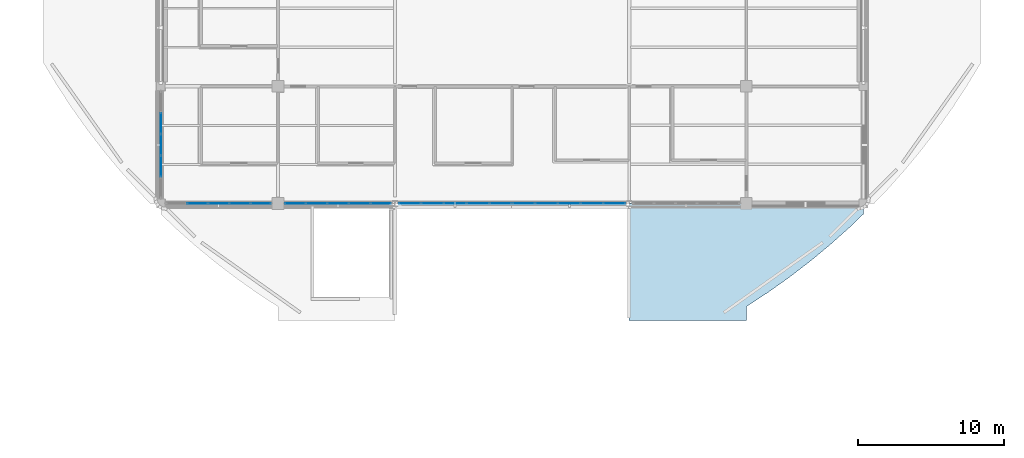
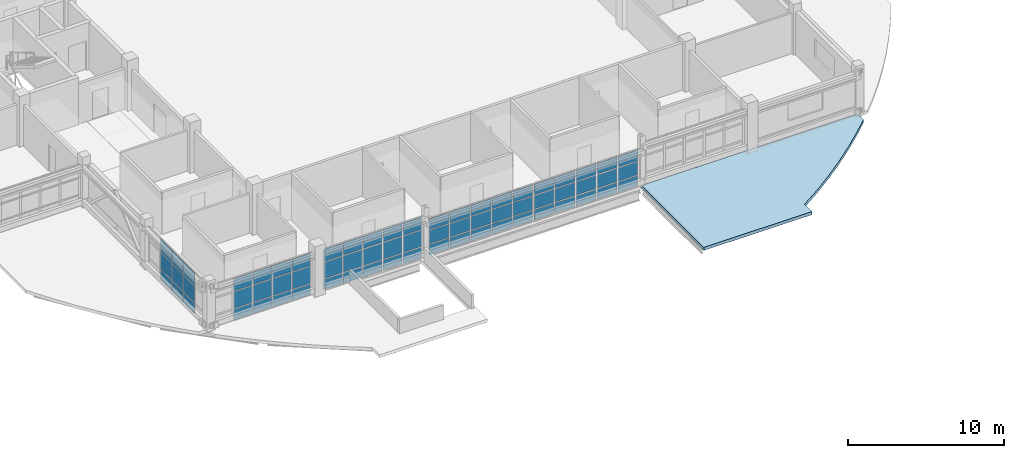
# One storey, part 70 of 126: 66 plates, 1 slab, 5 elements without a shape of their own.
"""IFC4 building model written with IfcOpenShell, lengths in metres."""

from ifc_helpers import new_model, si_unit, derived_unit, direction, frame, origin, origin_2d, place, context, subcontext, project, spatial, polyline, rectangle, outline, extrude, material, layer, layer_set, type_object, element, aggregate, save


model = new_model("IFC4")

# Units and contexts
model_context = context("Model", 3, precision=1e-05, world=origin(), true_north=direction((0.0, 1.0)))
body_context = subcontext(model_context, "Body", "Model", "MODEL_VIEW")
ifc_project = project(units=[si_unit("LENGTHUNIT", "METRE"), si_unit("AREAUNIT", "SQUARE_METRE"), si_unit("VOLUMEUNIT", "CUBIC_METRE"), si_unit("PLANEANGLEUNIT", "RADIAN"), si_unit("MASSUNIT", "GRAM", prefix="KILO"), derived_unit("THERMALTRANSMITTANCEUNIT", [(si_unit("MASSUNIT", "GRAM", prefix="KILO"), 1), (si_unit("TIMEUNIT", "SECOND"), -3), (si_unit("THERMODYNAMICTEMPERATUREUNIT", "KELVIN"), -1)])], contexts=[model_context])

# Site, building, storey
site_placement = place(None, origin())
site = spatial("IfcSite", under=ifc_project, at=site_placement, CompositionType="ELEMENT")
building_placement = place(site_placement, origin())
building = spatial("IfcBuilding", under=site, at=building_placement, Name="Veyamyaing Civic Hall", CompositionType="ELEMENT")
storey_placement = place(building_placement, frame((0.0, 0.0, 9.89990234375)))
storey = spatial("IfcBuildingStorey", under=building, at=storey_placement, Name="L02", CompositionType="ELEMENT", Elevation=9.89990234375)

# Curtain wall, plates
ifc_material_1 = material(Name="Anodised aluminium 6063-T6", Category="aluminium")
ifc_layer_1 = layer(ifc_material_1, 0.159912109375, Name="Anodised aluminium 6063-T6")
ifc_layer_set_1 = layer_set([ifc_layer_1], Name="Anodised aluminium 6063-T6")
curtain_wall_type = type_object("IfcCurtainWallType", Name="CW-03", PredefinedType="NOTDEFINED", material=ifc_layer_set_1)
curtain_wall_1_placement = place(storey_placement, origin())
curtain_wall_1 = element("IfcCurtainWall", 1, at=curtain_wall_1_placement, inside=storey, type_object=curtain_wall_type, Name="Unitized curtain wall CW-03 L02 S 9.4", PredefinedType="NOTDEFINED")
ifc_material_2 = material(Name="Low-E insulated glass", Category="glass")
ifc_layer_2 = layer(ifc_material_2, 0.035888671875, Name="Low-E insulated glass")
ifc_layer_set_2 = layer_set([ifc_layer_2], Name="Low-E insulated glass")
plate_type_1 = type_object("IfcPlateType", Name="CWP-03", PredefinedType="CURTAIN_PANEL", material=ifc_layer_set_2)
plate_1_placement = place(storey_placement, frame((66.501953125, 24.0, 0.06494140625), z_axis=(0.0, 0.0, 1.0), x_axis=(1.0, 0.0, 0.0)))
plate_1 = element("IfcPlate", 2, at=plate_1_placement, type_object=plate_type_1, Name="CW-03 panel 2.1", PredefinedType="CURTAIN_PANEL", context=body_context, shape_type="SweptSolid", body=[
    extrude(rectangle(XDim=1.383056640625, YDim=0.035888671875, at=origin_2d()), origin(), (0.0, 0.0, 1.0), 0.802490234375),
])
plate_2_placement = place(storey_placement, frame((66.501953125, 24.0, 0.9326171875), z_axis=(0.0, 0.0, 1.0), x_axis=(1.0, 0.0, 0.0)))
plate_2 = element("IfcPlate", 3, at=plate_2_placement, type_object=plate_type_1, Name="CW-03 panel 2.2", PredefinedType="CURTAIN_PANEL", context=body_context, shape_type="SweptSolid", body=[
    extrude(rectangle(XDim=1.383056640625, YDim=0.035888671875, at=origin_2d()), origin(), (0.0, 0.0, 1.0), 1.308837890625),
])
plate_3_placement = place(storey_placement, frame((66.501953125, 24.0, 2.306396484375), z_axis=(0.0, 0.0, 1.0), x_axis=(1.0, 0.0, 0.0)))
plate_3 = element("IfcPlate", 4, at=plate_3_placement, type_object=plate_type_1, Name="CW-03 panel 2.3", PredefinedType="CURTAIN_PANEL", context=body_context, shape_type="SweptSolid", body=[
    extrude(rectangle(XDim=1.383056640625, YDim=0.035888671875, at=origin_2d()), origin(), (0.0, 0.0, 1.0), 0.97265625),
])
plate_4_placement = place(storey_placement, frame((67.949951171875, 24.0, 0.06494140625), z_axis=(0.0, 0.0, 1.0), x_axis=(1.0, 0.0, 0.0)))
plate_4 = element("IfcPlate", 5, at=plate_4_placement, type_object=plate_type_1, Name="CW-03 panel 3.1", PredefinedType="CURTAIN_PANEL", context=body_context, shape_type="SweptSolid", body=[
    extrude(rectangle(XDim=1.383056640625, YDim=0.035888671875, at=origin_2d()), origin(), (0.0, 0.0, 1.0), 0.802490234375),
])
plate_5_placement = place(storey_placement, frame((67.949951171875, 24.0, 0.9326171875), z_axis=(0.0, 0.0, 1.0), x_axis=(1.0, 0.0, 0.0)))
plate_5 = element("IfcPlate", 6, at=plate_5_placement, type_object=plate_type_1, Name="CW-03 panel 3.2", PredefinedType="CURTAIN_PANEL", context=body_context, shape_type="SweptSolid", body=[
    extrude(rectangle(XDim=1.383056640625, YDim=0.035888671875, at=origin_2d()), origin(), (0.0, 0.0, 1.0), 1.308837890625),
])
plate_6_placement = place(storey_placement, frame((67.949951171875, 24.0, 2.306396484375), z_axis=(0.0, 0.0, 1.0), x_axis=(1.0, 0.0, 0.0)))
plate_6 = element("IfcPlate", 7, at=plate_6_placement, type_object=plate_type_1, Name="CW-03 panel 3.3", PredefinedType="CURTAIN_PANEL", context=body_context, shape_type="SweptSolid", body=[
    extrude(rectangle(XDim=1.383056640625, YDim=0.035888671875, at=origin_2d()), origin(), (0.0, 0.0, 1.0), 0.97265625),
])
plate_7_placement = place(storey_placement, frame((69.39794921875, 24.0, 0.06494140625), z_axis=(0.0, 0.0, 1.0), x_axis=(1.0, 0.0, 0.0)))
plate_7 = element("IfcPlate", 8, at=plate_7_placement, type_object=plate_type_1, Name="CW-03 panel 4.1", PredefinedType="CURTAIN_PANEL", context=body_context, shape_type="SweptSolid", body=[
    extrude(rectangle(XDim=1.383056640625, YDim=0.035888671875, at=origin_2d()), origin(), (0.0, 0.0, 1.0), 0.802490234375),
])
plate_8_placement = place(storey_placement, frame((69.39794921875, 24.0, 0.9326171875), z_axis=(0.0, 0.0, 1.0), x_axis=(1.0, 0.0, 0.0)))
plate_8 = element("IfcPlate", 9, at=plate_8_placement, type_object=plate_type_1, Name="CW-03 panel 4.2", PredefinedType="CURTAIN_PANEL", context=body_context, shape_type="SweptSolid", body=[
    extrude(rectangle(XDim=1.383056640625, YDim=0.035888671875, at=origin_2d()), origin(), (0.0, 0.0, 1.0), 1.308837890625),
])
plate_9_placement = place(storey_placement, frame((69.39794921875, 24.0, 2.306396484375), z_axis=(0.0, 0.0, 1.0), x_axis=(1.0, 0.0, 0.0)))
plate_9 = element("IfcPlate", 10, at=plate_9_placement, type_object=plate_type_1, Name="CW-03 panel 4.3", PredefinedType="CURTAIN_PANEL", context=body_context, shape_type="SweptSolid", body=[
    extrude(rectangle(XDim=1.383056640625, YDim=0.035888671875, at=origin_2d()), origin(), (0.0, 0.0, 1.0), 0.97265625),
])
plate_10_placement = place(storey_placement, frame((70.829833984375, 24.0, 0.06494140625), z_axis=(0.0, 0.0, 1.0), x_axis=(1.0, 0.0, 0.0)))
plate_10 = element("IfcPlate", 11, at=plate_10_placement, type_object=plate_type_1, Name="CW-03 panel 5.1", PredefinedType="CURTAIN_PANEL", context=body_context, shape_type="SweptSolid", body=[
    extrude(rectangle(XDim=1.3505859375, YDim=0.035888671875, at=origin_2d()), origin(), (0.0, 0.0, 1.0), 0.802490234375),
])
plate_11_placement = place(storey_placement, frame((70.829833984375, 24.0, 0.9326171875), z_axis=(0.0, 0.0, 1.0), x_axis=(1.0, 0.0, 0.0)))
plate_11 = element("IfcPlate", 12, at=plate_11_placement, type_object=plate_type_1, Name="CW-03 panel 5.2", PredefinedType="CURTAIN_PANEL", context=body_context, shape_type="SweptSolid", body=[
    extrude(rectangle(XDim=1.3505859375, YDim=0.035888671875, at=origin_2d()), origin(), (0.0, 0.0, 1.0), 1.308837890625),
])
plate_12_placement = place(storey_placement, frame((70.829833984375, 24.0, 2.306396484375), z_axis=(0.0, 0.0, 1.0), x_axis=(1.0, 0.0, 0.0)))
plate_12 = element("IfcPlate", 13, at=plate_12_placement, type_object=plate_type_1, Name="CW-03 panel 5.3", PredefinedType="CURTAIN_PANEL", context=body_context, shape_type="SweptSolid", body=[
    extrude(rectangle(XDim=1.3505859375, YDim=0.035888671875, at=origin_2d()), origin(), (0.0, 0.0, 1.0), 0.97265625),
])
aggregate(curtain_wall_1, [plate_1, plate_2, plate_3, plate_4, plate_5, plate_6, plate_7, plate_8, plate_9, plate_10, plate_11, plate_12])

curtain_wall_2_placement = place(storey_placement, origin())
curtain_wall_2 = element("IfcCurtainWall", 14, at=curtain_wall_2_placement, inside=storey, type_object=curtain_wall_type, Name="Unitized curtain wall CW-03 L02 W 9.4", PredefinedType="NOTDEFINED")
plate_13_placement = place(storey_placement, frame((64.0, 26.531982421875, 0.06494140625), z_axis=(0.0, 0.0, 1.0), x_axis=(0.0, 1.0, 0.0)))
plate_13 = element("IfcPlate", 15, at=plate_13_placement, type_object=plate_type_1, Name="CW-03 panel 2.1", PredefinedType="CURTAIN_PANEL", context=body_context, shape_type="SweptSolid", body=[
    extrude(rectangle(XDim=1.403076171875, YDim=0.035888671875, at=origin_2d()), origin(), (0.0, 0.0, 1.0), 0.802490234375),
])
plate_14_placement = place(storey_placement, frame((64.0, 26.531982421875, 0.9326171875), z_axis=(0.0, 0.0, 1.0), x_axis=(0.0, 1.0, 0.0)))
plate_14 = element("IfcPlate", 16, at=plate_14_placement, type_object=plate_type_1, Name="CW-03 panel 2.2", PredefinedType="CURTAIN_PANEL", context=body_context, shape_type="SweptSolid", body=[
    extrude(rectangle(XDim=1.403076171875, YDim=0.035888671875, at=origin_2d()), origin(), (0.0, 0.0, 1.0), 1.308837890625),
])
plate_15_placement = place(storey_placement, frame((64.0, 26.531982421875, 2.306396484375), z_axis=(0.0, 0.0, 1.0), x_axis=(0.0, 1.0, 0.0)))
plate_15 = element("IfcPlate", 17, at=plate_15_placement, type_object=plate_type_1, Name="CW-03 panel 2.3", PredefinedType="CURTAIN_PANEL", context=body_context, shape_type="SweptSolid", body=[
    extrude(rectangle(XDim=1.403076171875, YDim=0.035888671875, at=origin_2d()), origin(), (0.0, 0.0, 1.0), 0.97265625),
])
plate_16_placement = place(storey_placement, frame((64.0, 28.0, 0.06494140625), z_axis=(0.0, 0.0, 1.0), x_axis=(0.0, 1.0, 0.0)))
plate_16 = element("IfcPlate", 18, at=plate_16_placement, type_object=plate_type_1, Name="CW-03 panel 3.1", PredefinedType="CURTAIN_PANEL", context=body_context, shape_type="SweptSolid", body=[
    extrude(rectangle(XDim=1.403076171875, YDim=0.035888671875, at=origin_2d()), origin(), (0.0, 0.0, 1.0), 0.802490234375),
])
plate_17_placement = place(storey_placement, frame((64.0, 28.0, 0.9326171875), z_axis=(0.0, 0.0, 1.0), x_axis=(0.0, 1.0, 0.0)))
plate_17 = element("IfcPlate", 19, at=plate_17_placement, type_object=plate_type_1, Name="CW-03 panel 3.2", PredefinedType="CURTAIN_PANEL", context=body_context, shape_type="SweptSolid", body=[
    extrude(rectangle(XDim=1.403076171875, YDim=0.035888671875, at=origin_2d()), origin(), (0.0, 0.0, 1.0), 1.308837890625),
])
plate_18_placement = place(storey_placement, frame((64.0, 28.0, 2.306396484375), z_axis=(0.0, 0.0, 1.0), x_axis=(0.0, 1.0, 0.0)))
plate_18 = element("IfcPlate", 20, at=plate_18_placement, type_object=plate_type_1, Name="CW-03 panel 3.3", PredefinedType="CURTAIN_PANEL", context=body_context, shape_type="SweptSolid", body=[
    extrude(rectangle(XDim=1.403076171875, YDim=0.035888671875, at=origin_2d()), origin(), (0.0, 0.0, 1.0), 0.97265625),
])
plate_19_placement = place(storey_placement, frame((64.0, 29.468017578125, 0.06494140625), z_axis=(0.0, 0.0, 1.0), x_axis=(0.0, 1.0, 0.0)))
plate_19 = element("IfcPlate", 21, at=plate_19_placement, type_object=plate_type_1, Name="CW-03 panel 4.1", PredefinedType="CURTAIN_PANEL", context=body_context, shape_type="SweptSolid", body=[
    extrude(rectangle(XDim=1.403076171875, YDim=0.035888671875, at=origin_2d()), origin(), (0.0, 0.0, 1.0), 0.802490234375),
])
plate_20_placement = place(storey_placement, frame((64.0, 29.468017578125, 0.9326171875), z_axis=(0.0, 0.0, 1.0), x_axis=(0.0, 1.0, 0.0)))
plate_20 = element("IfcPlate", 22, at=plate_20_placement, type_object=plate_type_1, Name="CW-03 panel 4.2", PredefinedType="CURTAIN_PANEL", context=body_context, shape_type="SweptSolid", body=[
    extrude(rectangle(XDim=1.403076171875, YDim=0.035888671875, at=origin_2d()), origin(), (0.0, 0.0, 1.0), 1.308837890625),
])
plate_21_placement = place(storey_placement, frame((64.0, 29.468017578125, 2.306396484375), z_axis=(0.0, 0.0, 1.0), x_axis=(0.0, 1.0, 0.0)))
plate_21 = element("IfcPlate", 23, at=plate_21_placement, type_object=plate_type_1, Name="CW-03 panel 4.3", PredefinedType="CURTAIN_PANEL", context=body_context, shape_type="SweptSolid", body=[
    extrude(rectangle(XDim=1.403076171875, YDim=0.035888671875, at=origin_2d()), origin(), (0.0, 0.0, 1.0), 0.97265625),
])
aggregate(curtain_wall_2, [plate_13, plate_14, plate_15, plate_16, plate_17, plate_18, plate_19, plate_20, plate_21])

curtain_wall_3_placement = place(storey_placement, origin())
curtain_wall_3 = element("IfcCurtainWall", 24, at=curtain_wall_3_placement, inside=storey, type_object=curtain_wall_type, Name="Unitized curtain wall CW-03 L02 S 10.4", PredefinedType="NOTDEFINED")
ifc_layer_3 = layer(ifc_material_2, 0.02392578125, Name="Low-E insulated glass")
ifc_layer_set_3 = layer_set([ifc_layer_3], Name="Low-E insulated glass")
plate_type_2 = type_object("IfcPlateType", Name="CWP-04", PredefinedType="CURTAIN_PANEL", material=ifc_layer_set_3)
plate_22_placement = place(storey_placement, frame((73.181640625, 24.0, 0.06494140625), z_axis=(0.0, 0.0, 1.0), x_axis=(1.0, 0.0, 0.0)))
plate_22 = element("IfcPlate", 25, at=plate_22_placement, type_object=plate_type_2, Name="CW-03 panel 1.1", PredefinedType="CURTAIN_PANEL", context=body_context, shape_type="SweptSolid", body=[
    extrude(rectangle(XDim=1.373291015625, YDim=0.02392578125, at=origin_2d()), origin(), (0.0, 0.0, 1.0), 0.802490234375),
])
plate_23_placement = place(storey_placement, frame((73.181640625, 24.0, 0.9326171875), z_axis=(0.0, 0.0, 1.0), x_axis=(1.0, 0.0, 0.0)))
plate_23 = element("IfcPlate", 26, at=plate_23_placement, type_object=plate_type_2, Name="CW-03 panel 1.2", PredefinedType="CURTAIN_PANEL", context=body_context, shape_type="SweptSolid", body=[
    extrude(rectangle(XDim=1.373291015625, YDim=0.02392578125, at=origin_2d()), origin(), (0.0, 0.0, 1.0), 1.26806640625),
])
plate_24_placement = place(storey_placement, frame((73.181640625, 24.0, 2.265625), z_axis=(0.0, 0.0, 1.0), x_axis=(1.0, 0.0, 0.0)))
plate_24 = element("IfcPlate", 27, at=plate_24_placement, type_object=plate_type_2, Name="CW-03 panel 1.3", PredefinedType="CURTAIN_PANEL", context=body_context, shape_type="SweptSolid", body=[
    extrude(rectangle(XDim=1.373291015625, YDim=0.02392578125, at=origin_2d()), origin(), (0.0, 0.0, 1.0), 0.953369140625),
])
plate_25_placement = place(storey_placement, frame((74.63623046875, 24.0, 0.06494140625), z_axis=(0.0, 0.0, 1.0), x_axis=(1.0, 0.0, 0.0)))
plate_25 = element("IfcPlate", 28, at=plate_25_placement, type_object=plate_type_2, Name="CW-03 panel 2.1", PredefinedType="CURTAIN_PANEL", context=body_context, shape_type="SweptSolid", body=[
    extrude(rectangle(XDim=1.406005859375, YDim=0.02392578125, at=origin_2d()), origin(), (0.0, 0.0, 1.0), 0.802490234375),
])
plate_26_placement = place(storey_placement, frame((74.63623046875, 24.0, 0.9326171875), z_axis=(0.0, 0.0, 1.0), x_axis=(1.0, 0.0, 0.0)))
plate_26 = element("IfcPlate", 29, at=plate_26_placement, type_object=plate_type_2, Name="CW-03 panel 2.2", PredefinedType="CURTAIN_PANEL", context=body_context, shape_type="SweptSolid", body=[
    extrude(rectangle(XDim=1.406005859375, YDim=0.02392578125, at=origin_2d()), origin(), (0.0, 0.0, 1.0), 1.26806640625),
])
plate_27_placement = place(storey_placement, frame((74.63623046875, 24.0, 2.265625), z_axis=(0.0, 0.0, 1.0), x_axis=(1.0, 0.0, 0.0)))
plate_27 = element("IfcPlate", 30, at=plate_27_placement, type_object=plate_type_2, Name="CW-03 panel 2.3", PredefinedType="CURTAIN_PANEL", context=body_context, shape_type="SweptSolid", body=[
    extrude(rectangle(XDim=1.406005859375, YDim=0.02392578125, at=origin_2d()), origin(), (0.0, 0.0, 1.0), 0.953369140625),
])
plate_28_placement = place(storey_placement, frame((76.107177734375, 24.0, 0.06494140625), z_axis=(0.0, 0.0, 1.0), x_axis=(1.0, 0.0, 0.0)))
plate_28 = element("IfcPlate", 31, at=plate_28_placement, type_object=plate_type_2, Name="CW-03 panel 3.1", PredefinedType="CURTAIN_PANEL", context=body_context, shape_type="SweptSolid", body=[
    extrude(rectangle(XDim=1.406005859375, YDim=0.02392578125, at=origin_2d()), origin(), (0.0, 0.0, 1.0), 0.802490234375),
])
plate_29_placement = place(storey_placement, frame((76.107177734375, 24.0, 0.9326171875), z_axis=(0.0, 0.0, 1.0), x_axis=(1.0, 0.0, 0.0)))
plate_29 = element("IfcPlate", 32, at=plate_29_placement, type_object=plate_type_2, Name="CW-03 panel 3.2", PredefinedType="CURTAIN_PANEL", context=body_context, shape_type="SweptSolid", body=[
    extrude(rectangle(XDim=1.406005859375, YDim=0.02392578125, at=origin_2d()), origin(), (0.0, 0.0, 1.0), 1.26806640625),
])
plate_30_placement = place(storey_placement, frame((76.107177734375, 24.0, 2.265625), z_axis=(0.0, 0.0, 1.0), x_axis=(1.0, 0.0, 0.0)))
plate_30 = element("IfcPlate", 33, at=plate_30_placement, type_object=plate_type_2, Name="CW-03 panel 3.3", PredefinedType="CURTAIN_PANEL", context=body_context, shape_type="SweptSolid", body=[
    extrude(rectangle(XDim=1.406005859375, YDim=0.02392578125, at=origin_2d()), origin(), (0.0, 0.0, 1.0), 0.953369140625),
])
plate_31_placement = place(storey_placement, frame((77.578125, 24.0, 0.06494140625), z_axis=(0.0, 0.0, 1.0), x_axis=(1.0, 0.0, 0.0)))
plate_31 = element("IfcPlate", 34, at=plate_31_placement, type_object=plate_type_2, Name="CW-03 panel 4.1", PredefinedType="CURTAIN_PANEL", context=body_context, shape_type="SweptSolid", body=[
    extrude(rectangle(XDim=1.406005859375, YDim=0.02392578125, at=origin_2d()), origin(), (0.0, 0.0, 1.0), 0.802490234375),
])
plate_32_placement = place(storey_placement, frame((77.578125, 24.0, 0.9326171875), z_axis=(0.0, 0.0, 1.0), x_axis=(1.0, 0.0, 0.0)))
plate_32 = element("IfcPlate", 35, at=plate_32_placement, type_object=plate_type_2, Name="CW-03 panel 4.2", PredefinedType="CURTAIN_PANEL", context=body_context, shape_type="SweptSolid", body=[
    extrude(rectangle(XDim=1.406005859375, YDim=0.02392578125, at=origin_2d()), origin(), (0.0, 0.0, 1.0), 1.26806640625),
])
plate_33_placement = place(storey_placement, frame((77.578125, 24.0, 2.265625), z_axis=(0.0, 0.0, 1.0), x_axis=(1.0, 0.0, 0.0)))
plate_33 = element("IfcPlate", 36, at=plate_33_placement, type_object=plate_type_2, Name="CW-03 panel 4.3", PredefinedType="CURTAIN_PANEL", context=body_context, shape_type="SweptSolid", body=[
    extrude(rectangle(XDim=1.406005859375, YDim=0.02392578125, at=origin_2d()), origin(), (0.0, 0.0, 1.0), 0.953369140625),
])
plate_34_placement = place(storey_placement, frame((79.03271484375, 24.0, 0.06494140625), z_axis=(0.0, 0.0, 1.0), x_axis=(1.0, 0.0, 0.0)))
plate_34 = element("IfcPlate", 37, at=plate_34_placement, type_object=plate_type_2, Name="CW-03 panel 5.1", PredefinedType="CURTAIN_PANEL", context=body_context, shape_type="SweptSolid", body=[
    extrude(rectangle(XDim=1.373291015625, YDim=0.02392578125, at=origin_2d()), origin(), (0.0, 0.0, 1.0), 0.802490234375),
])
plate_35_placement = place(storey_placement, frame((79.03271484375, 24.0, 0.9326171875), z_axis=(0.0, 0.0, 1.0), x_axis=(1.0, 0.0, 0.0)))
plate_35 = element("IfcPlate", 38, at=plate_35_placement, type_object=plate_type_2, Name="CW-03 panel 5.2", PredefinedType="CURTAIN_PANEL", context=body_context, shape_type="SweptSolid", body=[
    extrude(rectangle(XDim=1.373291015625, YDim=0.02392578125, at=origin_2d()), origin(), (0.0, 0.0, 1.0), 1.26806640625),
])
plate_36_placement = place(storey_placement, frame((79.03271484375, 24.0, 2.265625), z_axis=(0.0, 0.0, 1.0), x_axis=(1.0, 0.0, 0.0)))
plate_36 = element("IfcPlate", 39, at=plate_36_placement, type_object=plate_type_2, Name="CW-03 panel 5.3", PredefinedType="CURTAIN_PANEL", context=body_context, shape_type="SweptSolid", body=[
    extrude(rectangle(XDim=1.373291015625, YDim=0.02392578125, at=origin_2d()), origin(), (0.0, 0.0, 1.0), 0.953369140625),
])
aggregate(curtain_wall_3, [plate_22, plate_23, plate_24, plate_25, plate_26, plate_27, plate_28, plate_29, plate_30, plate_31, plate_32, plate_33, plate_34, plate_35, plate_36])

curtain_wall_4_placement = place(storey_placement, origin())
curtain_wall_4 = element("IfcCurtainWall", 40, at=curtain_wall_4_placement, inside=storey, type_object=curtain_wall_type, Name="Unitized curtain wall CW-03 L02 S 11.4", PredefinedType="NOTDEFINED")
ifc_layer_4 = layer(ifc_material_2, 0.0400390625, Name="Low-E insulated glass")
ifc_layer_set_4 = layer_set([ifc_layer_4], Name="Low-E insulated glass")
plate_type_3 = type_object("IfcPlateType", Name="CWP-05", PredefinedType="CURTAIN_PANEL", material=ifc_layer_set_4)
plate_37_placement = place(storey_placement, frame((81.01025390625, 24.0, 0.06494140625), z_axis=(0.0, 0.0, 1.0), x_axis=(1.0, 0.0, 0.0)))
plate_37 = element("IfcPlate", 41, at=plate_37_placement, type_object=plate_type_3, Name="CW-03 panel 1.1", PredefinedType="CURTAIN_PANEL", context=body_context, shape_type="SweptSolid", body=[
    extrude(rectangle(XDim=1.45947265625, YDim=0.0400390625, at=origin_2d()), origin(), (0.0, 0.0, 1.0), 0.802490234375),
])
plate_38_placement = place(storey_placement, frame((81.01025390625, 24.0, 0.9326171875), z_axis=(0.0, 0.0, 1.0), x_axis=(1.0, 0.0, 0.0)))
plate_38 = element("IfcPlate", 42, at=plate_38_placement, type_object=plate_type_3, Name="CW-03 panel 1.2", PredefinedType="CURTAIN_PANEL", context=body_context, shape_type="SweptSolid", body=[
    extrude(rectangle(XDim=1.45947265625, YDim=0.0400390625, at=origin_2d()), origin(), (0.0, 0.0, 1.0), 1.033447265625),
])
plate_39_placement = place(storey_placement, frame((81.01025390625, 24.0, 2.03125), z_axis=(0.0, 0.0, 1.0), x_axis=(1.0, 0.0, 0.0)))
plate_39 = element("IfcPlate", 43, at=plate_39_placement, type_object=plate_type_3, Name="CW-03 panel 1.3", PredefinedType="CURTAIN_PANEL", context=body_context, shape_type="SweptSolid", body=[
    extrude(rectangle(XDim=1.45947265625, YDim=0.0400390625, at=origin_2d()), origin(), (0.0, 0.0, 1.0), 0.843017578125),
])
plate_40_placement = place(storey_placement, frame((82.55078125, 24.0, 0.06494140625), z_axis=(0.0, 0.0, 1.0), x_axis=(1.0, 0.0, 0.0)))
plate_40 = element("IfcPlate", 44, at=plate_40_placement, type_object=plate_type_3, Name="CW-03 panel 2.1", PredefinedType="CURTAIN_PANEL", context=body_context, shape_type="SweptSolid", body=[
    extrude(rectangle(XDim=1.491943359375, YDim=0.0400390625, at=origin_2d()), origin(), (0.0, 0.0, 1.0), 0.802490234375),
])
plate_41_placement = place(storey_placement, frame((82.55078125, 24.0, 0.9326171875), z_axis=(0.0, 0.0, 1.0), x_axis=(1.0, 0.0, 0.0)))
plate_41 = element("IfcPlate", 45, at=plate_41_placement, type_object=plate_type_3, Name="CW-03 panel 2.2", PredefinedType="CURTAIN_PANEL", context=body_context, shape_type="SweptSolid", body=[
    extrude(rectangle(XDim=1.491943359375, YDim=0.0400390625, at=origin_2d()), origin(), (0.0, 0.0, 1.0), 1.033447265625),
])
plate_42_placement = place(storey_placement, frame((82.55078125, 24.0, 2.03125), z_axis=(0.0, 0.0, 1.0), x_axis=(1.0, 0.0, 0.0)))
plate_42 = element("IfcPlate", 46, at=plate_42_placement, type_object=plate_type_3, Name="CW-03 panel 2.3", PredefinedType="CURTAIN_PANEL", context=body_context, shape_type="SweptSolid", body=[
    extrude(rectangle(XDim=1.491943359375, YDim=0.0400390625, at=origin_2d()), origin(), (0.0, 0.0, 1.0), 0.843017578125),
])
plate_43_placement = place(storey_placement, frame((84.107666015625, 24.0, 0.06494140625), z_axis=(0.0, 0.0, 1.0), x_axis=(1.0, 0.0, 0.0)))
plate_43 = element("IfcPlate", 47, at=plate_43_placement, type_object=plate_type_3, Name="CW-03 panel 3.1", PredefinedType="CURTAIN_PANEL", context=body_context, shape_type="SweptSolid", body=[
    extrude(rectangle(XDim=1.491943359375, YDim=0.0400390625, at=origin_2d()), origin(), (0.0, 0.0, 1.0), 0.802490234375),
])
plate_44_placement = place(storey_placement, frame((84.107666015625, 24.0, 0.9326171875), z_axis=(0.0, 0.0, 1.0), x_axis=(1.0, 0.0, 0.0)))
plate_44 = element("IfcPlate", 48, at=plate_44_placement, type_object=plate_type_3, Name="CW-03 panel 3.2", PredefinedType="CURTAIN_PANEL", context=body_context, shape_type="SweptSolid", body=[
    extrude(rectangle(XDim=1.491943359375, YDim=0.0400390625, at=origin_2d()), origin(), (0.0, 0.0, 1.0), 1.033447265625),
])
plate_45_placement = place(storey_placement, frame((84.107666015625, 24.0, 2.03125), z_axis=(0.0, 0.0, 1.0), x_axis=(1.0, 0.0, 0.0)))
plate_45 = element("IfcPlate", 49, at=plate_45_placement, type_object=plate_type_3, Name="CW-03 panel 3.3", PredefinedType="CURTAIN_PANEL", context=body_context, shape_type="SweptSolid", body=[
    extrude(rectangle(XDim=1.491943359375, YDim=0.0400390625, at=origin_2d()), origin(), (0.0, 0.0, 1.0), 0.843017578125),
])
plate_46_placement = place(storey_placement, frame((85.66455078125, 24.0, 0.06494140625), z_axis=(0.0, 0.0, 1.0), x_axis=(1.0, 0.0, 0.0)))
plate_46 = element("IfcPlate", 50, at=plate_46_placement, type_object=plate_type_3, Name="CW-03 panel 4.1", PredefinedType="CURTAIN_PANEL", context=body_context, shape_type="SweptSolid", body=[
    extrude(rectangle(XDim=1.491943359375, YDim=0.0400390625, at=origin_2d()), origin(), (0.0, 0.0, 1.0), 0.802490234375),
])
plate_47_placement = place(storey_placement, frame((85.66455078125, 24.0, 0.9326171875), z_axis=(0.0, 0.0, 1.0), x_axis=(1.0, 0.0, 0.0)))
plate_47 = element("IfcPlate", 51, at=plate_47_placement, type_object=plate_type_3, Name="CW-03 panel 4.2", PredefinedType="CURTAIN_PANEL", context=body_context, shape_type="SweptSolid", body=[
    extrude(rectangle(XDim=1.491943359375, YDim=0.0400390625, at=origin_2d()), origin(), (0.0, 0.0, 1.0), 1.033447265625),
])
plate_48_placement = place(storey_placement, frame((85.66455078125, 24.0, 2.03125), z_axis=(0.0, 0.0, 1.0), x_axis=(1.0, 0.0, 0.0)))
plate_48 = element("IfcPlate", 52, at=plate_48_placement, type_object=plate_type_3, Name="CW-03 panel 4.3", PredefinedType="CURTAIN_PANEL", context=body_context, shape_type="SweptSolid", body=[
    extrude(rectangle(XDim=1.491943359375, YDim=0.0400390625, at=origin_2d()), origin(), (0.0, 0.0, 1.0), 0.843017578125),
])
plate_49_placement = place(storey_placement, frame((87.205322265625, 24.0, 0.06494140625), z_axis=(0.0, 0.0, 1.0), x_axis=(1.0, 0.0, 0.0)))
plate_49 = element("IfcPlate", 53, at=plate_49_placement, type_object=plate_type_3, Name="CW-03 panel 5.1", PredefinedType="CURTAIN_PANEL", context=body_context, shape_type="SweptSolid", body=[
    extrude(rectangle(XDim=1.45947265625, YDim=0.0400390625, at=origin_2d()), origin(), (0.0, 0.0, 1.0), 0.802490234375),
])
plate_50_placement = place(storey_placement, frame((87.205322265625, 24.0, 0.9326171875), z_axis=(0.0, 0.0, 1.0), x_axis=(1.0, 0.0, 0.0)))
plate_50 = element("IfcPlate", 54, at=plate_50_placement, type_object=plate_type_3, Name="CW-03 panel 5.2", PredefinedType="CURTAIN_PANEL", context=body_context, shape_type="SweptSolid", body=[
    extrude(rectangle(XDim=1.45947265625, YDim=0.0400390625, at=origin_2d()), origin(), (0.0, 0.0, 1.0), 1.033447265625),
])
plate_51_placement = place(storey_placement, frame((87.205322265625, 24.0, 2.03125), z_axis=(0.0, 0.0, 1.0), x_axis=(1.0, 0.0, 0.0)))
plate_51 = element("IfcPlate", 55, at=plate_51_placement, type_object=plate_type_3, Name="CW-03 panel 5.3", PredefinedType="CURTAIN_PANEL", context=body_context, shape_type="SweptSolid", body=[
    extrude(rectangle(XDim=1.45947265625, YDim=0.0400390625, at=origin_2d()), origin(), (0.0, 0.0, 1.0), 0.843017578125),
])
aggregate(curtain_wall_4, [plate_37, plate_38, plate_39, plate_40, plate_41, plate_42, plate_43, plate_44, plate_45, plate_46, plate_47, plate_48, plate_49, plate_50, plate_51])

curtain_wall_5_placement = place(storey_placement, origin())
curtain_wall_5 = element("IfcCurtainWall", 56, at=curtain_wall_5_placement, inside=storey, type_object=curtain_wall_type, Name="Unitized curtain wall CW-03 L02 S 12.4", PredefinedType="NOTDEFINED")
ifc_layer_5 = layer(ifc_material_2, 0.02197265625, Name="Low-E insulated glass")
ifc_layer_set_5 = layer_set([ifc_layer_5], Name="Low-E insulated glass")
plate_type_4 = type_object("IfcPlateType", Name="CWP-06", PredefinedType="CURTAIN_PANEL", material=ifc_layer_set_5)
plate_52_placement = place(storey_placement, frame((88.794677734375, 24.0, 0.06494140625), z_axis=(0.0, 0.0, 1.0), x_axis=(1.0, 0.0, 0.0)))
plate_52 = element("IfcPlate", 57, at=plate_52_placement, type_object=plate_type_4, Name="CW-03 panel 1.1", PredefinedType="CURTAIN_PANEL", context=body_context, shape_type="SweptSolid", body=[
    extrude(rectangle(XDim=1.45947265625, YDim=0.02197265625, at=origin_2d()), origin(), (0.0, 0.0, 1.0), 0.802490234375),
])
plate_53_placement = place(storey_placement, frame((88.794677734375, 24.0, 0.9326171875), z_axis=(0.0, 0.0, 1.0), x_axis=(1.0, 0.0, 0.0)))
plate_53 = element("IfcPlate", 58, at=plate_53_placement, type_object=plate_type_4, Name="CW-03 panel 1.2", PredefinedType="CURTAIN_PANEL", context=body_context, shape_type="SweptSolid", body=[
    extrude(rectangle(XDim=1.45947265625, YDim=0.02197265625, at=origin_2d()), origin(), (0.0, 0.0, 1.0), 1.033447265625),
])
plate_54_placement = place(storey_placement, frame((88.794677734375, 24.0, 2.03125), z_axis=(0.0, 0.0, 1.0), x_axis=(1.0, 0.0, 0.0)))
plate_54 = element("IfcPlate", 59, at=plate_54_placement, type_object=plate_type_4, Name="CW-03 panel 1.3", PredefinedType="CURTAIN_PANEL", context=body_context, shape_type="SweptSolid", body=[
    extrude(rectangle(XDim=1.45947265625, YDim=0.02197265625, at=origin_2d()), origin(), (0.0, 0.0, 1.0), 0.843017578125),
])
plate_55_placement = place(storey_placement, frame((90.33544921875, 24.0, 0.06494140625), z_axis=(0.0, 0.0, 1.0), x_axis=(1.0, 0.0, 0.0)))
plate_55 = element("IfcPlate", 60, at=plate_55_placement, type_object=plate_type_4, Name="CW-03 panel 2.1", PredefinedType="CURTAIN_PANEL", context=body_context, shape_type="SweptSolid", body=[
    extrude(rectangle(XDim=1.491943359375, YDim=0.02197265625, at=origin_2d()), origin(), (0.0, 0.0, 1.0), 0.802490234375),
])
plate_56_placement = place(storey_placement, frame((90.33544921875, 24.0, 0.9326171875), z_axis=(0.0, 0.0, 1.0), x_axis=(1.0, 0.0, 0.0)))
plate_56 = element("IfcPlate", 61, at=plate_56_placement, type_object=plate_type_4, Name="CW-03 panel 2.2", PredefinedType="CURTAIN_PANEL", context=body_context, shape_type="SweptSolid", body=[
    extrude(rectangle(XDim=1.491943359375, YDim=0.02197265625, at=origin_2d()), origin(), (0.0, 0.0, 1.0), 1.033447265625),
])
plate_57_placement = place(storey_placement, frame((90.33544921875, 24.0, 2.03125), z_axis=(0.0, 0.0, 1.0), x_axis=(1.0, 0.0, 0.0)))
plate_57 = element("IfcPlate", 62, at=plate_57_placement, type_object=plate_type_4, Name="CW-03 panel 2.3", PredefinedType="CURTAIN_PANEL", context=body_context, shape_type="SweptSolid", body=[
    extrude(rectangle(XDim=1.491943359375, YDim=0.02197265625, at=origin_2d()), origin(), (0.0, 0.0, 1.0), 0.843017578125),
])
plate_58_placement = place(storey_placement, frame((91.892333984375, 24.0, 0.06494140625), z_axis=(0.0, 0.0, 1.0), x_axis=(1.0, 0.0, 0.0)))
plate_58 = element("IfcPlate", 63, at=plate_58_placement, type_object=plate_type_4, Name="CW-03 panel 3.1", PredefinedType="CURTAIN_PANEL", context=body_context, shape_type="SweptSolid", body=[
    extrude(rectangle(XDim=1.491943359375, YDim=0.02197265625, at=origin_2d()), origin(), (0.0, 0.0, 1.0), 0.802490234375),
])
plate_59_placement = place(storey_placement, frame((91.892333984375, 24.0, 0.9326171875), z_axis=(0.0, 0.0, 1.0), x_axis=(1.0, 0.0, 0.0)))
plate_59 = element("IfcPlate", 64, at=plate_59_placement, type_object=plate_type_4, Name="CW-03 panel 3.2", PredefinedType="CURTAIN_PANEL", context=body_context, shape_type="SweptSolid", body=[
    extrude(rectangle(XDim=1.491943359375, YDim=0.02197265625, at=origin_2d()), origin(), (0.0, 0.0, 1.0), 1.033447265625),
])
plate_60_placement = place(storey_placement, frame((91.892333984375, 24.0, 2.03125), z_axis=(0.0, 0.0, 1.0), x_axis=(1.0, 0.0, 0.0)))
plate_60 = element("IfcPlate", 65, at=plate_60_placement, type_object=plate_type_4, Name="CW-03 panel 3.3", PredefinedType="CURTAIN_PANEL", context=body_context, shape_type="SweptSolid", body=[
    extrude(rectangle(XDim=1.491943359375, YDim=0.02197265625, at=origin_2d()), origin(), (0.0, 0.0, 1.0), 0.843017578125),
])
plate_61_placement = place(storey_placement, frame((93.44921875, 24.0, 0.06494140625), z_axis=(0.0, 0.0, 1.0), x_axis=(1.0, 0.0, 0.0)))
plate_61 = element("IfcPlate", 66, at=plate_61_placement, type_object=plate_type_4, Name="CW-03 panel 4.1", PredefinedType="CURTAIN_PANEL", context=body_context, shape_type="SweptSolid", body=[
    extrude(rectangle(XDim=1.491943359375, YDim=0.02197265625, at=origin_2d()), origin(), (0.0, 0.0, 1.0), 0.802490234375),
])
plate_62_placement = place(storey_placement, frame((93.44921875, 24.0, 0.9326171875), z_axis=(0.0, 0.0, 1.0), x_axis=(1.0, 0.0, 0.0)))
plate_62 = element("IfcPlate", 67, at=plate_62_placement, type_object=plate_type_4, Name="CW-03 panel 4.2", PredefinedType="CURTAIN_PANEL", context=body_context, shape_type="SweptSolid", body=[
    extrude(rectangle(XDim=1.491943359375, YDim=0.02197265625, at=origin_2d()), origin(), (0.0, 0.0, 1.0), 1.033447265625),
])
plate_63_placement = place(storey_placement, frame((93.44921875, 24.0, 2.03125), z_axis=(0.0, 0.0, 1.0), x_axis=(1.0, 0.0, 0.0)))
plate_63 = element("IfcPlate", 68, at=plate_63_placement, type_object=plate_type_4, Name="CW-03 panel 4.3", PredefinedType="CURTAIN_PANEL", context=body_context, shape_type="SweptSolid", body=[
    extrude(rectangle(XDim=1.491943359375, YDim=0.02197265625, at=origin_2d()), origin(), (0.0, 0.0, 1.0), 0.843017578125),
])
plate_64_placement = place(storey_placement, frame((94.98974609375, 24.0, 0.06494140625), z_axis=(0.0, 0.0, 1.0), x_axis=(1.0, 0.0, 0.0)))
plate_64 = element("IfcPlate", 69, at=plate_64_placement, type_object=plate_type_4, Name="CW-03 panel 5.1", PredefinedType="CURTAIN_PANEL", context=body_context, shape_type="SweptSolid", body=[
    extrude(rectangle(XDim=1.45947265625, YDim=0.02197265625, at=origin_2d()), origin(), (0.0, 0.0, 1.0), 0.802490234375),
])
plate_65_placement = place(storey_placement, frame((94.98974609375, 24.0, 0.9326171875), z_axis=(0.0, 0.0, 1.0), x_axis=(1.0, 0.0, 0.0)))
plate_65 = element("IfcPlate", 70, at=plate_65_placement, type_object=plate_type_4, Name="CW-03 panel 5.2", PredefinedType="CURTAIN_PANEL", context=body_context, shape_type="SweptSolid", body=[
    extrude(rectangle(XDim=1.45947265625, YDim=0.02197265625, at=origin_2d()), origin(), (0.0, 0.0, 1.0), 1.033447265625),
])
plate_66_placement = place(storey_placement, frame((94.98974609375, 24.0, 2.03125), z_axis=(0.0, 0.0, 1.0), x_axis=(1.0, 0.0, 0.0)))
plate_66 = element("IfcPlate", 71, at=plate_66_placement, type_object=plate_type_4, Name="CW-03 panel 5.3", PredefinedType="CURTAIN_PANEL", context=body_context, shape_type="SweptSolid", body=[
    extrude(rectangle(XDim=1.45947265625, YDim=0.02197265625, at=origin_2d()), origin(), (0.0, 0.0, 1.0), 0.843017578125),
])
aggregate(curtain_wall_5, [plate_52, plate_53, plate_54, plate_55, plate_56, plate_57, plate_58, plate_59, plate_60, plate_61, plate_62, plate_63, plate_64, plate_65, plate_66])

# Slab
ifc_material_3 = material(Name="Concrete C40/50", Category="concrete")
ifc_layer_6 = layer(ifc_material_3, 0.239990234375, Name="Concrete C40/50")
ifc_layer_set_6 = layer_set([ifc_layer_6], Name="Concrete C40/50")
slab_type = type_object("IfcSlabType", Name="SL-15", PredefinedType="ROOF", material=ifc_layer_set_6)
slab_placement = place(storey_placement, frame((0.0, 0.0, -0.239990234375)))
element("IfcSlab", 72, at=slab_placement, inside=storey, type_object=slab_type, Name="Roof slab SL-15 L02 V1S.2", PredefinedType="ROOF", context=body_context, shape_type="SweptSolid", body=[
    extrude(outline(polyline([(112.0, 23.269775390625), (111.0791015625, 22.3828125), (109.740478515625, 21.1865234375), (108.3583984375, 20.041259765625), (106.93408203125, 18.948486328125), (105.47021484375, 17.909912109375), (104.0, 16.947265625), (104.0, 16.0), (96.0, 16.0), (96.0, 24.0), (112.0, 24.0), (112.0, 23.269775390625)])), origin(), (0.0, 0.0, 1.0), 0.239990234375),
])

save(model, "model.ifc")
